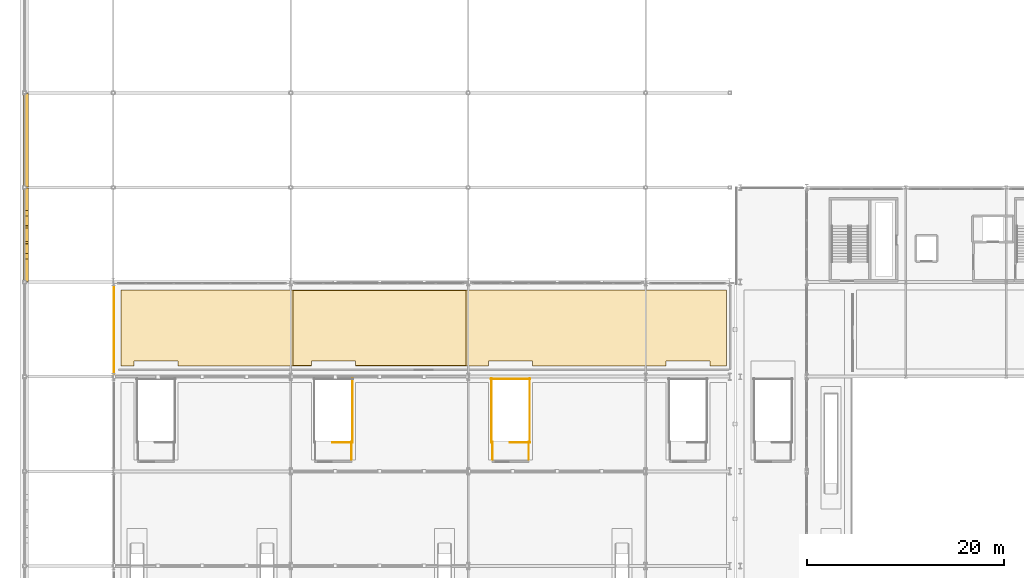
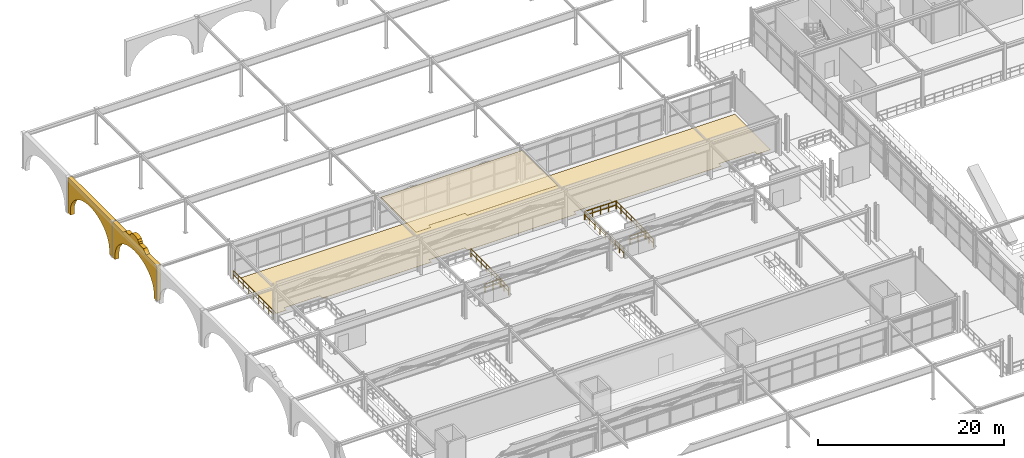
# One storey, part 104 of 125: 12 railings, 4 coverings.
"""IFC4 building model written with IfcOpenShell, lengths in metres."""

import ifcopenshell
import ifcopenshell.guid

model = None  # the IFC model being written
_history = None  # IfcOwnerHistory: only IFC2X3 demands one
_inside = {}  # id of a spatial element -> (the spatial element, [elements in it])
_under = {}  # id of a project, library or spatial element -> (it, [spatial elements below it])
_declared = {}  # id of a project -> (the project, [libraries it declares])
_typed = {}  # id of a type object -> (the type object, [elements of that type])
_made_of = {}  # id of a material, layer set ... -> (it, [elements and type objects made of it])


def new_model(schema):
    """Start an empty IFC model of exactly this schema.

    Asked for "IFC4X3", IfcOpenShell would pick the latest addendum, in which some entities
    have other attributes; the version numbers below select the first issue.
    IFC2X3 requires an IfcOwnerHistory on every rooted entity: one is made here for all.
    """
    global model, _history
    if schema == "IFC4X3":
        model = ifcopenshell.file(schema_version=(4, 3, 0, 0))
    else:
        model = ifcopenshell.file(schema=schema)
    _inside.clear()
    _under.clear()
    _declared.clear()
    _typed.clear()
    _made_of.clear()
    _history = None
    if model.schema == "IFC2X3":
        org = make("IfcOrganization", Name="unknown")
        user = make(
            "IfcPersonAndOrganization",
            ThePerson=make("IfcPerson", FamilyName="unknown"),
            TheOrganization=org,
        )
        app = make(
            "IfcApplication",
            ApplicationDeveloper=org,
            Version="unknown",
            ApplicationFullName="unknown",
            ApplicationIdentifier="unknown",
        )
        _history = make(
            "IfcOwnerHistory",
            OwningUser=user,
            OwningApplication=app,
            ChangeAction="ADDED",
            CreationDate=0,
        )
    return model


def make(cls, **values):
    """One entity of the class cls with the attributes given. An attribute that is None is left unset."""
    return model.create_entity(
        cls, **{name: value for name, value in values.items() if value is not None}
    )


def rooted(cls, **values):
    """An entity with a GlobalId (a new one), such as an element, a storey or a relation."""
    return make(cls, GlobalId=ifcopenshell.guid.new(), OwnerHistory=_history, **values)


def si_unit(unit_type, name, prefix=None):
    """IfcSIUnit, for example si_unit("LENGTHUNIT", "METRE", prefix="MILLI")."""
    return make("IfcSIUnit", UnitType=unit_type, Prefix=prefix, Name=name)


def assignment(units):
    """IfcUnitAssignment: the units of a project."""
    return None if units is None else make("IfcUnitAssignment", Units=units)


def point(xyz):
    """IfcCartesianPoint."""
    return None if xyz is None else make("IfcCartesianPoint", Coordinates=xyz)


def direction(xyz):
    """IfcDirection."""
    return None if xyz is None else make("IfcDirection", DirectionRatios=xyz)


def frame(location, z_axis=None, x_axis=None):
    """IfcAxis2Placement3D, a coordinate frame: its origin and axes. An axis left out is left unset."""
    return make(
        "IfcAxis2Placement3D",
        Location=point(location),
        Axis=direction(z_axis),
        RefDirection=direction(x_axis),
    )


def frame_2d(location, x_axis=None):
    """IfcAxis2Placement2D, a coordinate frame in the plane: its origin and x axis."""
    return make(
        "IfcAxis2Placement2D", Location=point(location), RefDirection=direction(x_axis)
    )


def origin():
    """The frame at (0, 0, 0) with its axes left unset."""
    return frame((0.0, 0.0, 0.0))


def origin_2d():
    """The frame at (0, 0) in the plane with its x axis left unset."""
    return frame_2d((0.0, 0.0))


def place(relative_to, where):
    """IfcLocalPlacement: puts the frame where relative to a parent placement (None: the world)."""
    return make(
        "IfcLocalPlacement", PlacementRelTo=relative_to, RelativePlacement=where
    )


def context(
    kind, dimensions, precision=None, world=None, true_north=None, identifier=None
):
    """IfcGeometricRepresentationContext, for example the 3D "Model" context."""
    return make(
        "IfcGeometricRepresentationContext",
        ContextIdentifier=identifier,
        ContextType=kind,
        CoordinateSpaceDimension=dimensions,
        Precision=precision,
        WorldCoordinateSystem=world,
        TrueNorth=true_north,
    )


def subcontext(parent, identifier, kind, view, scale=None):
    """IfcGeometricRepresentationSubContext, for example "Body" below "Model"."""
    return make(
        "IfcGeometricRepresentationSubContext",
        ContextIdentifier=identifier,
        ContextType=kind,
        ParentContext=parent,
        TargetScale=scale,
        TargetView=view,
    )


def project(units=None, contexts=None):
    """IfcProject with its units and contexts."""
    return rooted(
        "IfcProject",
        Name="project",
        RepresentationContexts=contexts,
        UnitsInContext=assignment(units),
    )


def spatial(cls, under=None, at=None, **own):
    """A site, building, storey or space (cls), placed at a placement, below another one or the project."""
    s = rooted(cls, ObjectPlacement=at, **own)
    if under is not None:
        _under.setdefault(under.id(), (under, []))[1].append(s)
    return s


def polyline(points):
    """IfcPolyline through the points."""
    return make("IfcPolyline", Points=[point(p) for p in points])


def profile(cls, at=None, kind="AREA", **sizes):
    """A parametric profile (cls). Its sizes go by their IFC names, for example OverallWidth=200.0."""
    return make(cls, ProfileType=kind, Position=at, **sizes)


def rectangle(**sizes):
    """IfcRectangleProfileDef."""
    return profile("IfcRectangleProfileDef", **sizes)


def outline(outer, holes=None, kind="AREA"):
    """IfcArbitraryClosedProfileDef: a profile drawn as a closed curve; with holes, ...WithVoids."""
    if holes is None:
        return make("IfcArbitraryClosedProfileDef", ProfileType=kind, OuterCurve=outer)
    return make(
        "IfcArbitraryProfileDefWithVoids",
        ProfileType=kind,
        OuterCurve=outer,
        InnerCurves=holes,
    )


def extrude(swept, where, along, depth):
    """IfcExtrudedAreaSolid: the profile swept, set in the frame where, extruded along a direction by depth."""
    return make(
        "IfcExtrudedAreaSolid",
        SweptArea=swept,
        Position=where,
        ExtrudedDirection=direction(along),
        Depth=depth,
    )


def shape(context_of_items, identifier, shape_type, items):
    """IfcShapeRepresentation: the items that make up one representation, for example the "Body"."""
    return make(
        "IfcShapeRepresentation",
        ContextOfItems=context_of_items,
        RepresentationIdentifier=identifier,
        RepresentationType=shape_type,
        Items=items,
    )


def material(Name=None, Category=None):
    """IfcMaterial."""
    return make("IfcMaterial", Name=Name, Category=Category)


def layer(
    of_material, thickness, ventilated=None, Name=None, Category=None, Priority=None
):
    """IfcMaterialLayer: one layer of a wall or slab, of a material (None: an air gap)."""
    return make(
        "IfcMaterialLayer",
        Material=of_material,
        LayerThickness=thickness,
        IsVentilated=ventilated,
        Name=Name,
        Category=Category,
        Priority=Priority,
    )


def layer_set(layers, Name=None):
    """IfcMaterialLayerSet."""
    return make("IfcMaterialLayerSet", MaterialLayers=layers, LayerSetName=Name)


def made_of(thing, what):
    """Note that an element or type object is made of a material, layer set ...; save() writes the relation."""
    if what is not None:
        _made_of.setdefault(what.id(), (what, []))[1].append(thing)
    return thing


def type_object(cls, material=None, **own):
    """A type object (cls), such as IfcWallType, which elements share."""
    return made_of(rooted(cls, **own), material)


def element(
    cls,
    number,
    at=None,
    inside=None,
    cuts=None,
    type_object=None,
    material=None,
    context=None,
    identifier="Body",
    shape_type=None,
    held_by="IfcProductDefinitionShape",
    body=None,
    shapes=None,
    **own,
):
    """One element of the class cls, such as IfcWall. Its Tag is "e" and its number.

    at: its placement. inside: the storey or other place that contains it. cuts: it is an
    opening in that element (IfcRelVoidsElement). A single representation is given by context,
    identifier, shape_type and body (its items); several are given by shapes. held_by: the class
    of the entity that holds the representations. save() writes the other relations.
    """
    e = rooted(cls, Tag="e%d" % number, ObjectPlacement=at, **own)
    if body is not None:
        shapes = [shape(context, identifier, shape_type, body)]
    if shapes is not None:
        e.Representation = make(held_by, Representations=shapes)
    if inside is not None:
        _inside.setdefault(inside.id(), (inside, []))[1].append(e)
    if cuts is not None:
        rooted(
            "IfcRelVoidsElement", RelatingBuildingElement=cuts, RelatedOpeningElement=e
        )
    if type_object is not None:
        _typed.setdefault(type_object.id(), (type_object, []))[1].append(e)
    return made_of(e, material)


def aggregate(whole, parts):
    """IfcRelAggregates: a whole, such as a stair, and the parts it consists of."""
    return rooted("IfcRelAggregates", RelatingObject=whole, RelatedObjects=parts)


def save(model, path):
    """Write the relations noted so far, then the file.

    IfcRelAggregates (storeys below a building ...), IfcRelContainedInSpatialStructure (elements
    in a storey), IfcRelDefinesByType, IfcRelAssociatesMaterial and IfcRelDeclares: one each for
    every whole, place, type object, material and project.
    """
    for whole, parts in _under.values():
        aggregate(whole, parts)
    for where, things in _inside.values():
        rooted(
            "IfcRelContainedInSpatialStructure",
            RelatedElements=things,
            RelatingStructure=where,
        )
    for kind, things in _typed.values():
        rooted("IfcRelDefinesByType", RelatedObjects=things, RelatingType=kind)
    for what, things in _made_of.values():
        rooted("IfcRelAssociatesMaterial", RelatedObjects=things, RelatingMaterial=what)
    for by, libraries in _declared.values():
        rooted("IfcRelDeclares", RelatingContext=by, RelatedDefinitions=libraries)
    model.write(path)


model = new_model("IFC4")

# Units and contexts
model_context = context("Model", 3, precision=1e-05, world=origin(), true_north=direction((0.0, 1.0)))
body_context = subcontext(model_context, "Body", "Model", "MODEL_VIEW")
ifc_project = project(units=[si_unit("LENGTHUNIT", "METRE"), si_unit("AREAUNIT", "SQUARE_METRE"), si_unit("VOLUMEUNIT", "CUBIC_METRE"), si_unit("PLANEANGLEUNIT", "RADIAN"), si_unit("MASSUNIT", "GRAM", prefix="KILO")], contexts=[model_context])

# Site, building, storey
site_placement = place(None, origin())
site = spatial("IfcSite", under=ifc_project, at=site_placement, CompositionType="ELEMENT")
building_placement = place(site_placement, origin())
building = spatial("IfcBuilding", under=site, at=building_placement, Name="Myrtia Square Station", CompositionType="ELEMENT")
storey_placement = place(building_placement, frame((0.0, 0.0, 6.0)))
storey = spatial("IfcBuildingStorey", under=building, at=storey_placement, Name="L01", CompositionType="ELEMENT", Elevation=6.0)

# Coverings
ifc_material_1 = material(Name="Pentelic marble ashlar", Category="masonry")
ifc_layer_1 = layer(ifc_material_1, 0.4599609375, Name="Pentelic marble ashlar")
ifc_layer_set_1 = layer_set([ifc_layer_1], Name="Pentelic marble ashlar")
covering_type_1 = type_object("IfcCoveringType", Name="COV-ARCH-ASHLAR", PredefinedType="CLADDING", material=ifc_layer_set_1)
covering_1_placement = place(storey_placement, frame((0.14990234375, 86.449951171875, -0.050048828125), z_axis=(0.0, 0.0, 1.0), x_axis=(0.0, 1.0, 0.0)))
element("IfcCovering", 1, at=covering_1_placement, inside=storey, type_object=covering_type_1, Name="Train shed west track-throat portal arch 060", PredefinedType="CLADDING", context=body_context, shape_type="SweptSolid", body=[
    extrude(outline(polyline([(0.0, 0.0), (0.550048828125, 0.0), (0.550048828125, 0.550048828125), (0.630615234375, 1.16455078125), (0.86962890625, 1.755615234375), (1.2578125, 2.300048828125), (1.7802734375, 2.77734375), (2.41650390625, 3.169189453125), (3.142822265625, 3.460205078125), (3.9306640625, 3.639404296875), (4.75, 3.699951171875), (5.5693359375, 3.639404296875), (6.357177734375, 3.460205078125), (7.08349609375, 3.169189453125), (7.7197265625, 2.77734375), (8.2421875, 2.300048828125), (8.63037109375, 1.755615234375), (8.869384765625, 1.16455078125), (8.949951171875, 0.550048828125), (8.949951171875, 0.0), (9.5, 0.0), (9.5, 4.670166015625), (7.219970703125, 4.670166015625), (6.64990234375, 5.132080078125), (5.699951171875, 5.132080078125), (5.627685546875, 5.376220703125), (5.421630859375, 5.583251953125), (5.113525390625, 5.7216796875), (4.75, 5.770263671875), (4.386474609375, 5.7216796875), (4.078369140625, 5.583251953125), (3.872314453125, 5.376220703125), (3.800048828125, 5.132080078125), (2.85009765625, 5.132080078125), (2.280029296875, 4.670166015625), (0.0, 4.670166015625), (0.0, 0.0)])), frame((0.0, 0.25, 0.0), z_axis=(0.0, -1.0, 0.0), x_axis=(1.0, 0.0, 0.0)), (0.0, 0.0, 1.0), 0.5),
])
covering_2_placement = place(storey_placement, frame((0.14990234375, 96.050048828125, -0.050048828125), z_axis=(0.0, 0.0, 1.0), x_axis=(0.0, 1.0, 0.0)))
element("IfcCovering", 2, at=covering_2_placement, inside=storey, type_object=covering_type_1, Name="Train shed west track-throat portal arch 061", PredefinedType="CLADDING", context=body_context, shape_type="SweptSolid", body=[
    extrude(outline(polyline([(0.0, 0.0), (0.550048828125, 0.0), (0.550048828125, 0.550048828125), (0.630615234375, 1.16455078125), (0.86962890625, 1.755615234375), (1.2578125, 2.300048828125), (1.7802734375, 2.77734375), (2.41650390625, 3.169189453125), (3.142822265625, 3.460205078125), (3.9306640625, 3.639404296875), (4.75, 3.699951171875), (5.5693359375, 3.639404296875), (6.357177734375, 3.460205078125), (7.08349609375, 3.169189453125), (7.7197265625, 2.77734375), (8.2421875, 2.300048828125), (8.63037109375, 1.755615234375), (8.869384765625, 1.16455078125), (8.949951171875, 0.550048828125), (8.949951171875, 0.0), (9.5, 0.0), (9.5, 4.670166015625), (0.0, 4.670166015625), (0.0, 0.0)])), frame((0.0, 0.25, 0.0), z_axis=(0.0, -1.0, 0.0), x_axis=(1.0, 0.0, 0.0)), (0.0, 0.0, 1.0), 0.5),
])
ifc_material_2 = material(Name="Acoustic European oak timber", Category="wood")
ifc_layer_2 = layer(ifc_material_2, 0.044921875, Name="Acoustic European oak timber")
ifc_layer_set_2 = layer_set([ifc_layer_2], Name="Acoustic European oak timber")
covering_type_2 = type_object("IfcCoveringType", Name="COV-CEIL-OAK", PredefinedType="CEILING", material=ifc_layer_set_2)
covering_3_placement = place(storey_placement, frame((0.0, 0.0, 4.510009765625)))
element("IfcCovering", 3, at=covering_3_placement, inside=storey, type_object=covering_type_2, Name="Acoustic coffer ceiling L01-03", PredefinedType="CEILING", context=body_context, shape_type="SweptSolid", body=[
    extrude(outline(polyline([(44.780029296875, 85.550048828125), (44.780029296875, 77.949951171875), (33.550048828125, 77.949951171875), (33.550048828125, 78.39990234375), (29.090087890625, 78.39990234375), (29.090087890625, 77.949951171875), (27.219970703125, 77.949951171875), (27.219970703125, 85.550048828125), (44.780029296875, 85.550048828125)])), origin(), (0.0, 0.0, 1.0), 0.044921875),
])
ifc_material_3 = material(Name="Terrazzo stone tile", Category="masonry")
ifc_layer_3 = layer(ifc_material_3, 0.02490234375, Name="Terrazzo stone tile")
ifc_layer_set_3 = layer_set([ifc_layer_3], Name="Terrazzo stone tile")
covering_type_3 = type_object("IfcCoveringType", Name="COV-FLR-TERRAZZO", PredefinedType="FLOORING", material=ifc_layer_set_3)
covering_4_placement = place(storey_placement, origin())
element("IfcCovering", 4, at=covering_4_placement, inside=storey, type_object=covering_type_3, Name="Terrazzo room flooring L01-03", PredefinedType="FLOORING", context=body_context, shape_type="SweptSolid", body=[
    extrude(outline(polyline([(9.800048828125, 85.60009765625), (71.199951171875, 85.60009765625), (71.199951171875, 77.89990234375), (69.550048828125, 77.89990234375), (69.550048828125, 78.39990234375), (65.090087890625, 78.39990234375), (65.090087890625, 77.89990234375), (51.550048828125, 77.89990234375), (51.550048828125, 78.39990234375), (47.090087890625, 78.39990234375), (47.090087890625, 77.89990234375), (33.550048828125, 77.89990234375), (33.550048828125, 78.39990234375), (29.090087890625, 78.39990234375), (29.090087890625, 77.89990234375), (15.550048828125, 77.89990234375), (15.550048828125, 78.39990234375), (11.090087890625, 78.39990234375), (11.090087890625, 77.89990234375), (9.800048828125, 77.89990234375), (9.800048828125, 85.60009765625)])), origin(), (0.0, 0.0, 1.0), 0.02490234375),
])

# Railings
ifc_material_4 = material(Name="Wrought iron", Category="steel")
railing_type = type_object("IfcRailingType", Name="RL-INT-GUARD-1100", PredefinedType="BALUSTRADE", material=ifc_material_4)
railing_1_placement = place(storey_placement, frame((33.199951171875, 70.14990234375, 0.0)))
element("IfcRailing", 5, at=railing_1_placement, inside=storey, type_object=railing_type, Name="L01 ST66 top well guard 1", PredefinedType="BALUSTRADE", context=body_context, shape_type="SweptSolid", body=[
    extrude(rectangle(XDim=0.048095703125, YDim=0.048095703125, at=origin_2d()), frame((-0.03466796875, 0.0, 1.09619140625), z_axis=(-1.0, 0.0, 0.0), x_axis=(0.0, -1.0, 0.0)), (0.0, 0.0, 1.0), 0.91064453125),
    extrude(rectangle(XDim=0.048095703125, YDim=0.048095703125, at=origin_2d()), frame((-0.03466796875, 0.0, 0.58251953125), z_axis=(-1.0, 0.0, 0.0), x_axis=(0.0, -1.0, 0.0)), (0.0, 0.0, 1.0), 0.91064453125),
    extrude(rectangle(XDim=0.048095703125, YDim=0.048095703125, at=origin_2d()), frame((-1.0146484375, 0.0, 1.09619140625), z_axis=(-1.0, 0.0, 0.0), x_axis=(0.0, -1.0, 0.0)), (0.0, 0.0, 1.0), 0.91064453125),
    extrude(rectangle(XDim=0.048095703125, YDim=0.048095703125, at=origin_2d()), frame((-1.0146484375, 0.0, 0.58251953125), z_axis=(-1.0, 0.0, 0.0), x_axis=(0.0, -1.0, 0.0)), (0.0, 0.0, 1.0), 0.91064453125),
    extrude(rectangle(XDim=0.0439453125, YDim=0.0439453125, at=origin_2d()), origin(), (0.0, 0.0, 1.0), 1.1201171875),
    extrude(rectangle(XDim=0.0439453125, YDim=0.0439453125, at=origin_2d()), frame((-0.97998046875, 0.0, 0.0)), (0.0, 0.0, 1.0), 1.1201171875),
    extrude(rectangle(XDim=0.0439453125, YDim=0.0439453125, at=origin_2d()), frame((-1.9599609375, 0.0, 0.0)), (0.0, 0.0, 1.0), 1.1201171875),
])
railing_2_placement = place(storey_placement, frame((33.25, 70.10009765625, 0.0)))
element("IfcRailing", 6, at=railing_2_placement, inside=storey, type_object=railing_type, Name="L01 ST66 top well guard 2", PredefinedType="BALUSTRADE", context=body_context, shape_type="SweptSolid", body=[
    extrude(rectangle(XDim=0.048095703125, YDim=0.048095703125, at=origin_2d()), frame((0.0, 0.03466796875, 1.09619140625), z_axis=(0.0, 1.0, 0.0), x_axis=(-1.0, 0.0, 0.0)), (0.0, 0.0, 1.0), 1.01416015625),
    extrude(rectangle(XDim=0.048095703125, YDim=0.048095703125, at=origin_2d()), frame((0.0, 0.03466796875, 0.58251953125), z_axis=(0.0, 1.0, 0.0), x_axis=(-1.0, 0.0, 0.0)), (0.0, 0.0, 1.0), 1.01416015625),
    extrude(rectangle(XDim=0.048095703125, YDim=0.048095703125, at=origin_2d()), frame((0.0, 1.117919921875, 1.09619140625), z_axis=(0.0, 1.0, 0.0), x_axis=(-1.0, 0.0, 0.0)), (0.0, 0.0, 1.0), 1.01416015625),
    extrude(rectangle(XDim=0.048095703125, YDim=0.048095703125, at=origin_2d()), frame((0.0, 1.117919921875, 0.58251953125), z_axis=(0.0, 1.0, 0.0), x_axis=(-1.0, 0.0, 0.0)), (0.0, 0.0, 1.0), 1.01416015625),
    extrude(rectangle(XDim=0.048095703125, YDim=0.048095703125, at=origin_2d()), frame((0.0, 2.201416015625, 1.09619140625), z_axis=(0.0, 1.0, 0.0), x_axis=(-1.0, 0.0, 0.0)), (0.0, 0.0, 1.0), 1.01416015625),
    extrude(rectangle(XDim=0.048095703125, YDim=0.048095703125, at=origin_2d()), frame((0.0, 2.201416015625, 0.58251953125), z_axis=(0.0, 1.0, 0.0), x_axis=(-1.0, 0.0, 0.0)), (0.0, 0.0, 1.0), 1.01416015625),
    extrude(rectangle(XDim=0.048095703125, YDim=0.048095703125, at=origin_2d()), frame((0.0, 3.28466796875, 1.09619140625), z_axis=(0.0, 1.0, 0.0), x_axis=(-1.0, 0.0, 0.0)), (0.0, 0.0, 1.0), 1.01416015625),
    extrude(rectangle(XDim=0.048095703125, YDim=0.048095703125, at=origin_2d()), frame((0.0, 3.28466796875, 0.58251953125), z_axis=(0.0, 1.0, 0.0), x_axis=(-1.0, 0.0, 0.0)), (0.0, 0.0, 1.0), 1.01416015625),
    extrude(rectangle(XDim=0.048095703125, YDim=0.048095703125, at=origin_2d()), frame((0.0, 4.367919921875, 1.09619140625), z_axis=(0.0, 1.0, 0.0), x_axis=(-1.0, 0.0, 0.0)), (0.0, 0.0, 1.0), 1.01416015625),
    extrude(rectangle(XDim=0.048095703125, YDim=0.048095703125, at=origin_2d()), frame((0.0, 4.367919921875, 0.58251953125), z_axis=(0.0, 1.0, 0.0), x_axis=(-1.0, 0.0, 0.0)), (0.0, 0.0, 1.0), 1.01416015625),
    extrude(rectangle(XDim=0.048095703125, YDim=0.048095703125, at=origin_2d()), frame((0.0, 5.451416015625, 1.09619140625), z_axis=(0.0, 1.0, 0.0), x_axis=(-1.0, 0.0, 0.0)), (0.0, 0.0, 1.0), 1.01416015625),
    extrude(rectangle(XDim=0.048095703125, YDim=0.048095703125, at=origin_2d()), frame((0.0, 5.451416015625, 0.58251953125), z_axis=(0.0, 1.0, 0.0), x_axis=(-1.0, 0.0, 0.0)), (0.0, 0.0, 1.0), 1.01416015625),
    extrude(rectangle(XDim=0.0439453125, YDim=0.0439453125, at=origin_2d()), origin(), (0.0, 0.0, 1.0), 1.1201171875),
    extrude(rectangle(XDim=0.0439453125, YDim=0.0439453125, at=origin_2d()), frame((0.0, 1.083251953125, 0.0)), (0.0, 0.0, 1.0), 1.1201171875),
    extrude(rectangle(XDim=0.0439453125, YDim=0.0439453125, at=origin_2d()), frame((0.0, 2.166748046875, 0.0)), (0.0, 0.0, 1.0), 1.1201171875),
    extrude(rectangle(XDim=0.0439453125, YDim=0.0439453125, at=origin_2d()), frame((0.0, 3.25, 0.0)), (0.0, 0.0, 1.0), 1.1201171875),
    extrude(rectangle(XDim=0.0439453125, YDim=0.0439453125, at=origin_2d()), frame((0.0, 4.333251953125, 0.0)), (0.0, 0.0, 1.0), 1.1201171875),
    extrude(rectangle(XDim=0.0439453125, YDim=0.0439453125, at=origin_2d()), frame((0.0, 5.416748046875, 0.0)), (0.0, 0.0, 1.0), 1.1201171875),
    extrude(rectangle(XDim=0.0439453125, YDim=0.0439453125, at=origin_2d()), frame((0.0, 6.5, 0.0)), (0.0, 0.0, 1.0), 1.1201171875),
])
railing_3_placement = place(storey_placement, frame((33.14990234375, 68.39990234375, 0.0)))
element("IfcRailing", 7, at=railing_3_placement, inside=storey, type_object=railing_type, Name="L01 ST66 top well guard 5", PredefinedType="BALUSTRADE", context=body_context, shape_type="SweptSolid", body=[
    extrude(rectangle(XDim=0.048095703125, YDim=0.048095703125, at=origin_2d()), frame((0.0, 0.03466796875, 1.09619140625), z_axis=(0.0, 1.0, 0.0), x_axis=(-1.0, 0.0, 0.0)), (0.0, 0.0, 1.0), 0.830810546875),
    extrude(rectangle(XDim=0.048095703125, YDim=0.048095703125, at=origin_2d()), frame((0.0, 0.03466796875, 0.58251953125), z_axis=(0.0, 1.0, 0.0), x_axis=(-1.0, 0.0, 0.0)), (0.0, 0.0, 1.0), 0.830810546875),
    extrude(rectangle(XDim=0.048095703125, YDim=0.048095703125, at=origin_2d()), frame((0.0, 0.9345703125, 1.09619140625), z_axis=(0.0, 1.0, 0.0), x_axis=(-1.0, 0.0, 0.0)), (0.0, 0.0, 1.0), 0.830810546875),
    extrude(rectangle(XDim=0.048095703125, YDim=0.048095703125, at=origin_2d()), frame((0.0, 0.9345703125, 0.58251953125), z_axis=(0.0, 1.0, 0.0), x_axis=(-1.0, 0.0, 0.0)), (0.0, 0.0, 1.0), 0.830810546875),
    extrude(rectangle(XDim=0.0439453125, YDim=0.0439453125, at=origin_2d()), origin(), (0.0, 0.0, 1.0), 1.1201171875),
    extrude(rectangle(XDim=0.0439453125, YDim=0.0439453125, at=origin_2d()), frame((0.0, 0.89990234375, 0.0)), (0.0, 0.0, 1.0), 1.1201171875),
    extrude(rectangle(XDim=0.0439453125, YDim=0.0439453125, at=origin_2d()), frame((0.0, 1.800048828125, 0.0)), (0.0, 0.0, 1.0), 1.1201171875),
])
railing_4_placement = place(storey_placement, frame((51.199951171875, 70.14990234375, 0.0)))
element("IfcRailing", 8, at=railing_4_placement, inside=storey, type_object=railing_type, Name="L01 ST67 top well guard 1", PredefinedType="BALUSTRADE", context=body_context, shape_type="SweptSolid", body=[
    extrude(rectangle(XDim=0.048095703125, YDim=0.048095703125, at=origin_2d()), frame((-0.03466796875, 0.0, 1.09619140625), z_axis=(-1.0, 0.0, 0.0), x_axis=(0.0, -1.0, 0.0)), (0.0, 0.0, 1.0), 0.91064453125),
    extrude(rectangle(XDim=0.048095703125, YDim=0.048095703125, at=origin_2d()), frame((-0.03466796875, 0.0, 0.58251953125), z_axis=(-1.0, 0.0, 0.0), x_axis=(0.0, -1.0, 0.0)), (0.0, 0.0, 1.0), 0.91064453125),
    extrude(rectangle(XDim=0.048095703125, YDim=0.048095703125, at=origin_2d()), frame((-1.0146484375, 0.0, 1.09619140625), z_axis=(-1.0, 0.0, 0.0), x_axis=(0.0, -1.0, 0.0)), (0.0, 0.0, 1.0), 0.91064453125),
    extrude(rectangle(XDim=0.048095703125, YDim=0.048095703125, at=origin_2d()), frame((-1.0146484375, 0.0, 0.58251953125), z_axis=(-1.0, 0.0, 0.0), x_axis=(0.0, -1.0, 0.0)), (0.0, 0.0, 1.0), 0.91064453125),
    extrude(rectangle(XDim=0.0439453125, YDim=0.0439453125, at=origin_2d()), origin(), (0.0, 0.0, 1.0), 1.1201171875),
    extrude(rectangle(XDim=0.0439453125, YDim=0.0439453125, at=origin_2d()), frame((-0.97998046875, 0.0, 0.0)), (0.0, 0.0, 1.0), 1.1201171875),
    extrude(rectangle(XDim=0.0439453125, YDim=0.0439453125, at=origin_2d()), frame((-1.9599609375, 0.0, 0.0)), (0.0, 0.0, 1.0), 1.1201171875),
])
railing_5_placement = place(storey_placement, frame((51.25, 70.10009765625, 0.0)))
element("IfcRailing", 9, at=railing_5_placement, inside=storey, type_object=railing_type, Name="L01 ST67 top well guard 2", PredefinedType="BALUSTRADE", context=body_context, shape_type="SweptSolid", body=[
    extrude(rectangle(XDim=0.048095703125, YDim=0.048095703125, at=origin_2d()), frame((0.0, 0.03466796875, 1.09619140625), z_axis=(0.0, 1.0, 0.0), x_axis=(-1.0, 0.0, 0.0)), (0.0, 0.0, 1.0), 1.01416015625),
    extrude(rectangle(XDim=0.048095703125, YDim=0.048095703125, at=origin_2d()), frame((0.0, 0.03466796875, 0.58251953125), z_axis=(0.0, 1.0, 0.0), x_axis=(-1.0, 0.0, 0.0)), (0.0, 0.0, 1.0), 1.01416015625),
    extrude(rectangle(XDim=0.048095703125, YDim=0.048095703125, at=origin_2d()), frame((0.0, 1.117919921875, 1.09619140625), z_axis=(0.0, 1.0, 0.0), x_axis=(-1.0, 0.0, 0.0)), (0.0, 0.0, 1.0), 1.01416015625),
    extrude(rectangle(XDim=0.048095703125, YDim=0.048095703125, at=origin_2d()), frame((0.0, 1.117919921875, 0.58251953125), z_axis=(0.0, 1.0, 0.0), x_axis=(-1.0, 0.0, 0.0)), (0.0, 0.0, 1.0), 1.01416015625),
    extrude(rectangle(XDim=0.048095703125, YDim=0.048095703125, at=origin_2d()), frame((0.0, 2.201416015625, 1.09619140625), z_axis=(0.0, 1.0, 0.0), x_axis=(-1.0, 0.0, 0.0)), (0.0, 0.0, 1.0), 1.01416015625),
    extrude(rectangle(XDim=0.048095703125, YDim=0.048095703125, at=origin_2d()), frame((0.0, 2.201416015625, 0.58251953125), z_axis=(0.0, 1.0, 0.0), x_axis=(-1.0, 0.0, 0.0)), (0.0, 0.0, 1.0), 1.01416015625),
    extrude(rectangle(XDim=0.048095703125, YDim=0.048095703125, at=origin_2d()), frame((0.0, 3.28466796875, 1.09619140625), z_axis=(0.0, 1.0, 0.0), x_axis=(-1.0, 0.0, 0.0)), (0.0, 0.0, 1.0), 1.01416015625),
    extrude(rectangle(XDim=0.048095703125, YDim=0.048095703125, at=origin_2d()), frame((0.0, 3.28466796875, 0.58251953125), z_axis=(0.0, 1.0, 0.0), x_axis=(-1.0, 0.0, 0.0)), (0.0, 0.0, 1.0), 1.01416015625),
    extrude(rectangle(XDim=0.048095703125, YDim=0.048095703125, at=origin_2d()), frame((0.0, 4.367919921875, 1.09619140625), z_axis=(0.0, 1.0, 0.0), x_axis=(-1.0, 0.0, 0.0)), (0.0, 0.0, 1.0), 1.01416015625),
    extrude(rectangle(XDim=0.048095703125, YDim=0.048095703125, at=origin_2d()), frame((0.0, 4.367919921875, 0.58251953125), z_axis=(0.0, 1.0, 0.0), x_axis=(-1.0, 0.0, 0.0)), (0.0, 0.0, 1.0), 1.01416015625),
    extrude(rectangle(XDim=0.048095703125, YDim=0.048095703125, at=origin_2d()), frame((0.0, 5.451416015625, 1.09619140625), z_axis=(0.0, 1.0, 0.0), x_axis=(-1.0, 0.0, 0.0)), (0.0, 0.0, 1.0), 1.01416015625),
    extrude(rectangle(XDim=0.048095703125, YDim=0.048095703125, at=origin_2d()), frame((0.0, 5.451416015625, 0.58251953125), z_axis=(0.0, 1.0, 0.0), x_axis=(-1.0, 0.0, 0.0)), (0.0, 0.0, 1.0), 1.01416015625),
    extrude(rectangle(XDim=0.0439453125, YDim=0.0439453125, at=origin_2d()), origin(), (0.0, 0.0, 1.0), 1.1201171875),
    extrude(rectangle(XDim=0.0439453125, YDim=0.0439453125, at=origin_2d()), frame((0.0, 1.083251953125, 0.0)), (0.0, 0.0, 1.0), 1.1201171875),
    extrude(rectangle(XDim=0.0439453125, YDim=0.0439453125, at=origin_2d()), frame((0.0, 2.166748046875, 0.0)), (0.0, 0.0, 1.0), 1.1201171875),
    extrude(rectangle(XDim=0.0439453125, YDim=0.0439453125, at=origin_2d()), frame((0.0, 3.25, 0.0)), (0.0, 0.0, 1.0), 1.1201171875),
    extrude(rectangle(XDim=0.0439453125, YDim=0.0439453125, at=origin_2d()), frame((0.0, 4.333251953125, 0.0)), (0.0, 0.0, 1.0), 1.1201171875),
    extrude(rectangle(XDim=0.0439453125, YDim=0.0439453125, at=origin_2d()), frame((0.0, 5.416748046875, 0.0)), (0.0, 0.0, 1.0), 1.1201171875),
    extrude(rectangle(XDim=0.0439453125, YDim=0.0439453125, at=origin_2d()), frame((0.0, 6.5, 0.0)), (0.0, 0.0, 1.0), 1.1201171875),
])
railing_6_placement = place(storey_placement, frame((47.389892578125, 70.10009765625, 0.0)))
element("IfcRailing", 10, at=railing_6_placement, inside=storey, type_object=railing_type, Name="L01 ST67 top well guard 3", PredefinedType="BALUSTRADE", context=body_context, shape_type="SweptSolid", body=[
    extrude(rectangle(XDim=0.048095703125, YDim=0.048095703125, at=origin_2d()), frame((0.0, 0.03466796875, 1.09619140625), z_axis=(0.0, 1.0, 0.0), x_axis=(-1.0, 0.0, 0.0)), (0.0, 0.0, 1.0), 1.01416015625),
    extrude(rectangle(XDim=0.048095703125, YDim=0.048095703125, at=origin_2d()), frame((0.0, 0.03466796875, 0.58251953125), z_axis=(0.0, 1.0, 0.0), x_axis=(-1.0, 0.0, 0.0)), (0.0, 0.0, 1.0), 1.01416015625),
    extrude(rectangle(XDim=0.048095703125, YDim=0.048095703125, at=origin_2d()), frame((0.0, 1.117919921875, 1.09619140625), z_axis=(0.0, 1.0, 0.0), x_axis=(-1.0, 0.0, 0.0)), (0.0, 0.0, 1.0), 1.01416015625),
    extrude(rectangle(XDim=0.048095703125, YDim=0.048095703125, at=origin_2d()), frame((0.0, 1.117919921875, 0.58251953125), z_axis=(0.0, 1.0, 0.0), x_axis=(-1.0, 0.0, 0.0)), (0.0, 0.0, 1.0), 1.01416015625),
    extrude(rectangle(XDim=0.048095703125, YDim=0.048095703125, at=origin_2d()), frame((0.0, 2.201416015625, 1.09619140625), z_axis=(0.0, 1.0, 0.0), x_axis=(-1.0, 0.0, 0.0)), (0.0, 0.0, 1.0), 1.01416015625),
    extrude(rectangle(XDim=0.048095703125, YDim=0.048095703125, at=origin_2d()), frame((0.0, 2.201416015625, 0.58251953125), z_axis=(0.0, 1.0, 0.0), x_axis=(-1.0, 0.0, 0.0)), (0.0, 0.0, 1.0), 1.01416015625),
    extrude(rectangle(XDim=0.048095703125, YDim=0.048095703125, at=origin_2d()), frame((0.0, 3.28466796875, 1.09619140625), z_axis=(0.0, 1.0, 0.0), x_axis=(-1.0, 0.0, 0.0)), (0.0, 0.0, 1.0), 1.01416015625),
    extrude(rectangle(XDim=0.048095703125, YDim=0.048095703125, at=origin_2d()), frame((0.0, 3.28466796875, 0.58251953125), z_axis=(0.0, 1.0, 0.0), x_axis=(-1.0, 0.0, 0.0)), (0.0, 0.0, 1.0), 1.01416015625),
    extrude(rectangle(XDim=0.048095703125, YDim=0.048095703125, at=origin_2d()), frame((0.0, 4.367919921875, 1.09619140625), z_axis=(0.0, 1.0, 0.0), x_axis=(-1.0, 0.0, 0.0)), (0.0, 0.0, 1.0), 1.01416015625),
    extrude(rectangle(XDim=0.048095703125, YDim=0.048095703125, at=origin_2d()), frame((0.0, 4.367919921875, 0.58251953125), z_axis=(0.0, 1.0, 0.0), x_axis=(-1.0, 0.0, 0.0)), (0.0, 0.0, 1.0), 1.01416015625),
    extrude(rectangle(XDim=0.048095703125, YDim=0.048095703125, at=origin_2d()), frame((0.0, 5.451416015625, 1.09619140625), z_axis=(0.0, 1.0, 0.0), x_axis=(-1.0, 0.0, 0.0)), (0.0, 0.0, 1.0), 1.01416015625),
    extrude(rectangle(XDim=0.048095703125, YDim=0.048095703125, at=origin_2d()), frame((0.0, 5.451416015625, 0.58251953125), z_axis=(0.0, 1.0, 0.0), x_axis=(-1.0, 0.0, 0.0)), (0.0, 0.0, 1.0), 1.01416015625),
    extrude(rectangle(XDim=0.0439453125, YDim=0.0439453125, at=origin_2d()), origin(), (0.0, 0.0, 1.0), 1.1201171875),
    extrude(rectangle(XDim=0.0439453125, YDim=0.0439453125, at=origin_2d()), frame((0.0, 1.083251953125, 0.0)), (0.0, 0.0, 1.0), 1.1201171875),
    extrude(rectangle(XDim=0.0439453125, YDim=0.0439453125, at=origin_2d()), frame((0.0, 2.166748046875, 0.0)), (0.0, 0.0, 1.0), 1.1201171875),
    extrude(rectangle(XDim=0.0439453125, YDim=0.0439453125, at=origin_2d()), frame((0.0, 3.25, 0.0)), (0.0, 0.0, 1.0), 1.1201171875),
    extrude(rectangle(XDim=0.0439453125, YDim=0.0439453125, at=origin_2d()), frame((0.0, 4.333251953125, 0.0)), (0.0, 0.0, 1.0), 1.1201171875),
    extrude(rectangle(XDim=0.0439453125, YDim=0.0439453125, at=origin_2d()), frame((0.0, 5.416748046875, 0.0)), (0.0, 0.0, 1.0), 1.1201171875),
    extrude(rectangle(XDim=0.0439453125, YDim=0.0439453125, at=origin_2d()), frame((0.0, 6.5, 0.0)), (0.0, 0.0, 1.0), 1.1201171875),
])
railing_7_placement = place(storey_placement, frame((51.300048828125, 76.550048828125, 0.0)))
element("IfcRailing", 11, at=railing_7_placement, inside=storey, type_object=railing_type, Name="L01 ST67 top well guard 4", PredefinedType="BALUSTRADE", context=body_context, shape_type="SweptSolid", body=[
    extrude(rectangle(XDim=0.048095703125, YDim=0.048095703125, at=origin_2d()), frame((-0.03466796875, 0.0, 1.09619140625), z_axis=(-1.0, 0.0, 0.0), x_axis=(0.0, -1.0, 0.0)), (0.0, 0.0, 1.0), 0.920654296875),
    extrude(rectangle(XDim=0.048095703125, YDim=0.048095703125, at=origin_2d()), frame((-0.03466796875, 0.0, 0.58251953125), z_axis=(-1.0, 0.0, 0.0), x_axis=(0.0, -1.0, 0.0)), (0.0, 0.0, 1.0), 0.920654296875),
    extrude(rectangle(XDim=0.048095703125, YDim=0.048095703125, at=origin_2d()), frame((-1.024658203125, 0.0, 1.09619140625), z_axis=(-1.0, 0.0, 0.0), x_axis=(0.0, -1.0, 0.0)), (0.0, 0.0, 1.0), 0.920654296875),
    extrude(rectangle(XDim=0.048095703125, YDim=0.048095703125, at=origin_2d()), frame((-1.024658203125, 0.0, 0.58251953125), z_axis=(-1.0, 0.0, 0.0), x_axis=(0.0, -1.0, 0.0)), (0.0, 0.0, 1.0), 0.920654296875),
    extrude(rectangle(XDim=0.048095703125, YDim=0.048095703125, at=origin_2d()), frame((-2.0146484375, 0.0, 1.09619140625), z_axis=(-1.0, 0.0, 0.0), x_axis=(0.0, -1.0, 0.0)), (0.0, 0.0, 1.0), 0.920654296875),
    extrude(rectangle(XDim=0.048095703125, YDim=0.048095703125, at=origin_2d()), frame((-2.0146484375, 0.0, 0.58251953125), z_axis=(-1.0, 0.0, 0.0), x_axis=(0.0, -1.0, 0.0)), (0.0, 0.0, 1.0), 0.920654296875),
    extrude(rectangle(XDim=0.048095703125, YDim=0.048095703125, at=origin_2d()), frame((-3.004638671875, 0.0, 1.09619140625), z_axis=(-1.0, 0.0, 0.0), x_axis=(0.0, -1.0, 0.0)), (0.0, 0.0, 1.0), 0.920654296875),
    extrude(rectangle(XDim=0.048095703125, YDim=0.048095703125, at=origin_2d()), frame((-3.004638671875, 0.0, 0.58251953125), z_axis=(-1.0, 0.0, 0.0), x_axis=(0.0, -1.0, 0.0)), (0.0, 0.0, 1.0), 0.920654296875),
    extrude(rectangle(XDim=0.0439453125, YDim=0.0439453125, at=origin_2d()), origin(), (0.0, 0.0, 1.0), 1.1201171875),
    extrude(rectangle(XDim=0.0439453125, YDim=0.0439453125, at=origin_2d()), frame((-0.989990234375, 0.0, 0.0)), (0.0, 0.0, 1.0), 1.1201171875),
    extrude(rectangle(XDim=0.0439453125, YDim=0.0439453125, at=origin_2d()), frame((-1.97998046875, 0.0, 0.0)), (0.0, 0.0, 1.0), 1.1201171875),
    extrude(rectangle(XDim=0.0439453125, YDim=0.0439453125, at=origin_2d()), frame((-2.969970703125, 0.0, 0.0)), (0.0, 0.0, 1.0), 1.1201171875),
    extrude(rectangle(XDim=0.0439453125, YDim=0.0439453125, at=origin_2d()), frame((-3.9599609375, 0.0, 0.0)), (0.0, 0.0, 1.0), 1.1201171875),
])
for number, where, name in (
    (12, (51.14990234375, 68.39990234375, 0.0), "L01 ST67 top well guard 5"),
    (13, (47.489990234375, 68.39990234375, 0.0), "L01 ST67 top well guard 6"),
):
    element("IfcRailing", number, at=place(storey_placement, frame(where)), inside=storey, type_object=railing_type, Name=name, PredefinedType="BALUSTRADE", context=body_context, shape_type="SweptSolid", body=[
        extrude(rectangle(XDim=0.048095703125, YDim=0.048095703125, at=origin_2d()), frame((0.0, 0.03466796875, 1.09619140625), z_axis=(0.0, 1.0, 0.0), x_axis=(-1.0, 0.0, 0.0)), (0.0, 0.0, 1.0), 0.830810546875),
        extrude(rectangle(XDim=0.048095703125, YDim=0.048095703125, at=origin_2d()), frame((0.0, 0.03466796875, 0.58251953125), z_axis=(0.0, 1.0, 0.0), x_axis=(-1.0, 0.0, 0.0)), (0.0, 0.0, 1.0), 0.830810546875),
        extrude(rectangle(XDim=0.048095703125, YDim=0.048095703125, at=origin_2d()), frame((0.0, 0.9345703125, 1.09619140625), z_axis=(0.0, 1.0, 0.0), x_axis=(-1.0, 0.0, 0.0)), (0.0, 0.0, 1.0), 0.830810546875),
        extrude(rectangle(XDim=0.048095703125, YDim=0.048095703125, at=origin_2d()), frame((0.0, 0.9345703125, 0.58251953125), z_axis=(0.0, 1.0, 0.0), x_axis=(-1.0, 0.0, 0.0)), (0.0, 0.0, 1.0), 0.830810546875),
        extrude(rectangle(XDim=0.0439453125, YDim=0.0439453125, at=origin_2d()), origin(), (0.0, 0.0, 1.0), 1.1201171875),
        extrude(rectangle(XDim=0.0439453125, YDim=0.0439453125, at=origin_2d()), frame((0.0, 0.89990234375, 0.0)), (0.0, 0.0, 1.0), 1.1201171875),
        extrude(rectangle(XDim=0.0439453125, YDim=0.0439453125, at=origin_2d()), frame((0.0, 1.800048828125, 0.0)), (0.0, 0.0, 1.0), 1.1201171875),
    ])
for number, where, name in (
    (14, (31.260009765625, 70.1201171875, 0.0), "Interchange stair 2 well return guard"),
    (15, (49.260009765625, 70.1201171875, 0.0), "Interchange stair 3 well return guard"),
):
    element("IfcRailing", number, at=place(storey_placement, frame(where)), inside=storey, type_object=railing_type, Name=name, PredefinedType="BALUSTRADE", context=body_context, shape_type="SweptSolid", body=[
        extrude(rectangle(XDim=0.048095703125, YDim=0.048095703125, at=origin_2d()), frame((0.03466796875, 0.0, 1.09619140625), z_axis=(1.0, 0.0, 0.0), x_axis=(0.0, 1.0, 0.0)), (0.0, 0.0, 1.0), 0.9306640625),
        extrude(rectangle(XDim=0.048095703125, YDim=0.048095703125, at=origin_2d()), frame((0.03466796875, 0.0, 0.58251953125), z_axis=(1.0, 0.0, 0.0), x_axis=(0.0, 1.0, 0.0)), (0.0, 0.0, 1.0), 0.9306640625),
        extrude(rectangle(XDim=0.048095703125, YDim=0.048095703125, at=origin_2d()), frame((1.03466796875, 0.0, 1.09619140625), z_axis=(1.0, 0.0, 0.0), x_axis=(0.0, 1.0, 0.0)), (0.0, 0.0, 1.0), 0.9306640625),
        extrude(rectangle(XDim=0.048095703125, YDim=0.048095703125, at=origin_2d()), frame((1.03466796875, 0.0, 0.58251953125), z_axis=(1.0, 0.0, 0.0), x_axis=(0.0, 1.0, 0.0)), (0.0, 0.0, 1.0), 0.9306640625),
        extrude(rectangle(XDim=0.0439453125, YDim=0.0439453125, at=origin_2d()), origin(), (0.0, 0.0, 1.0), 1.1201171875),
        extrude(rectangle(XDim=0.0439453125, YDim=0.0439453125, at=origin_2d()), frame((1.0, 0.0, 0.0)), (0.0, 0.0, 1.0), 1.1201171875),
        extrude(rectangle(XDim=0.0439453125, YDim=0.0439453125, at=origin_2d()), frame((2.0, 0.0, 0.0)), (0.0, 0.0, 1.0), 1.1201171875),
    ])
railing_8_placement = place(storey_placement, frame((9.080078125, 85.85107421875, 0.0)))
element("IfcRailing", 16, at=railing_8_placement, inside=storey, type_object=railing_type, Name="Perimeter slab edge balustrade L01-002", PredefinedType="BALUSTRADE", context=body_context, shape_type="SweptSolid", body=[
    extrude(rectangle(XDim=0.048095703125, YDim=0.048095703125, at=origin_2d()), frame((0.0, -0.03466796875, 1.09619140625), z_axis=(0.0, -1.0, 0.0), x_axis=(1.0, 0.0, 0.0)), (0.0, 0.0, 1.0), 1.022216796875),
    extrude(rectangle(XDim=0.048095703125, YDim=0.048095703125, at=origin_2d()), frame((0.0, -0.03466796875, 0.58251953125), z_axis=(0.0, -1.0, 0.0), x_axis=(1.0, 0.0, 0.0)), (0.0, 0.0, 1.0), 1.022216796875),
    extrude(rectangle(XDim=0.048095703125, YDim=0.048095703125, at=origin_2d()), frame((0.0, -1.126220703125, 1.09619140625), z_axis=(0.0, -1.0, 0.0), x_axis=(1.0, 0.0, 0.0)), (0.0, 0.0, 1.0), 1.022216796875),
    extrude(rectangle(XDim=0.048095703125, YDim=0.048095703125, at=origin_2d()), frame((0.0, -1.126220703125, 0.58251953125), z_axis=(0.0, -1.0, 0.0), x_axis=(1.0, 0.0, 0.0)), (0.0, 0.0, 1.0), 1.022216796875),
    extrude(rectangle(XDim=0.048095703125, YDim=0.048095703125, at=origin_2d()), frame((0.0, -2.2177734375, 1.09619140625), z_axis=(0.0, -1.0, 0.0), x_axis=(1.0, 0.0, 0.0)), (0.0, 0.0, 1.0), 1.022216796875),
    extrude(rectangle(XDim=0.048095703125, YDim=0.048095703125, at=origin_2d()), frame((0.0, -2.2177734375, 0.58251953125), z_axis=(0.0, -1.0, 0.0), x_axis=(1.0, 0.0, 0.0)), (0.0, 0.0, 1.0), 1.022216796875),
    extrude(rectangle(XDim=0.048095703125, YDim=0.048095703125, at=origin_2d()), frame((0.0, -3.309326171875, 1.09619140625), z_axis=(0.0, -1.0, 0.0), x_axis=(1.0, 0.0, 0.0)), (0.0, 0.0, 1.0), 1.022216796875),
    extrude(rectangle(XDim=0.048095703125, YDim=0.048095703125, at=origin_2d()), frame((0.0, -3.309326171875, 0.58251953125), z_axis=(0.0, -1.0, 0.0), x_axis=(1.0, 0.0, 0.0)), (0.0, 0.0, 1.0), 1.022216796875),
    extrude(rectangle(XDim=0.048095703125, YDim=0.048095703125, at=origin_2d()), frame((0.0, -4.400634765625, 1.09619140625), z_axis=(0.0, -1.0, 0.0), x_axis=(1.0, 0.0, 0.0)), (0.0, 0.0, 1.0), 1.022216796875),
    extrude(rectangle(XDim=0.048095703125, YDim=0.048095703125, at=origin_2d()), frame((0.0, -4.400634765625, 0.58251953125), z_axis=(0.0, -1.0, 0.0), x_axis=(1.0, 0.0, 0.0)), (0.0, 0.0, 1.0), 1.022216796875),
    extrude(rectangle(XDim=0.048095703125, YDim=0.048095703125, at=origin_2d()), frame((0.0, -5.4921875, 1.09619140625), z_axis=(0.0, -1.0, 0.0), x_axis=(1.0, 0.0, 0.0)), (0.0, 0.0, 1.0), 1.022216796875),
    extrude(rectangle(XDim=0.048095703125, YDim=0.048095703125, at=origin_2d()), frame((0.0, -5.4921875, 0.58251953125), z_axis=(0.0, -1.0, 0.0), x_axis=(1.0, 0.0, 0.0)), (0.0, 0.0, 1.0), 1.022216796875),
    extrude(rectangle(XDim=0.048095703125, YDim=0.048095703125, at=origin_2d()), frame((0.0, -6.583740234375, 1.09619140625), z_axis=(0.0, -1.0, 0.0), x_axis=(1.0, 0.0, 0.0)), (0.0, 0.0, 1.0), 1.022216796875),
    extrude(rectangle(XDim=0.048095703125, YDim=0.048095703125, at=origin_2d()), frame((0.0, -6.583740234375, 0.58251953125), z_axis=(0.0, -1.0, 0.0), x_axis=(1.0, 0.0, 0.0)), (0.0, 0.0, 1.0), 1.022216796875),
    extrude(rectangle(XDim=0.048095703125, YDim=0.048095703125, at=origin_2d()), frame((0.0, -7.67529296875, 1.09619140625), z_axis=(0.0, -1.0, 0.0), x_axis=(1.0, 0.0, 0.0)), (0.0, 0.0, 1.0), 1.022216796875),
    extrude(rectangle(XDim=0.048095703125, YDim=0.048095703125, at=origin_2d()), frame((0.0, -7.67529296875, 0.58251953125), z_axis=(0.0, -1.0, 0.0), x_axis=(1.0, 0.0, 0.0)), (0.0, 0.0, 1.0), 1.022216796875),
    extrude(rectangle(XDim=0.0439453125, YDim=0.0439453125, at=origin_2d()), origin(), (0.0, 0.0, 1.0), 1.1201171875),
    extrude(rectangle(XDim=0.0439453125, YDim=0.0439453125, at=origin_2d()), frame((0.0, -1.091552734375, 0.0)), (0.0, 0.0, 1.0), 1.1201171875),
    extrude(rectangle(XDim=0.0439453125, YDim=0.0439453125, at=origin_2d()), frame((0.0, -2.18310546875, 0.0)), (0.0, 0.0, 1.0), 1.1201171875),
    extrude(rectangle(XDim=0.0439453125, YDim=0.0439453125, at=origin_2d()), frame((0.0, -3.274658203125, 0.0)), (0.0, 0.0, 1.0), 1.1201171875),
    extrude(rectangle(XDim=0.0439453125, YDim=0.0439453125, at=origin_2d()), frame((0.0, -4.3662109375, 0.0)), (0.0, 0.0, 1.0), 1.1201171875),
    extrude(rectangle(XDim=0.0439453125, YDim=0.0439453125, at=origin_2d()), frame((0.0, -5.45751953125, 0.0)), (0.0, 0.0, 1.0), 1.1201171875),
    extrude(rectangle(XDim=0.0439453125, YDim=0.0439453125, at=origin_2d()), frame((0.0, -6.549072265625, 0.0)), (0.0, 0.0, 1.0), 1.1201171875),
    extrude(rectangle(XDim=0.0439453125, YDim=0.0439453125, at=origin_2d()), frame((0.0, -7.640625, 0.0)), (0.0, 0.0, 1.0), 1.1201171875),
    extrude(rectangle(XDim=0.0439453125, YDim=0.0439453125, at=origin_2d()), frame((0.0, -8.732177734375, 0.0)), (0.0, 0.0, 1.0), 1.1201171875),
])

save(model, "model.ifc")
